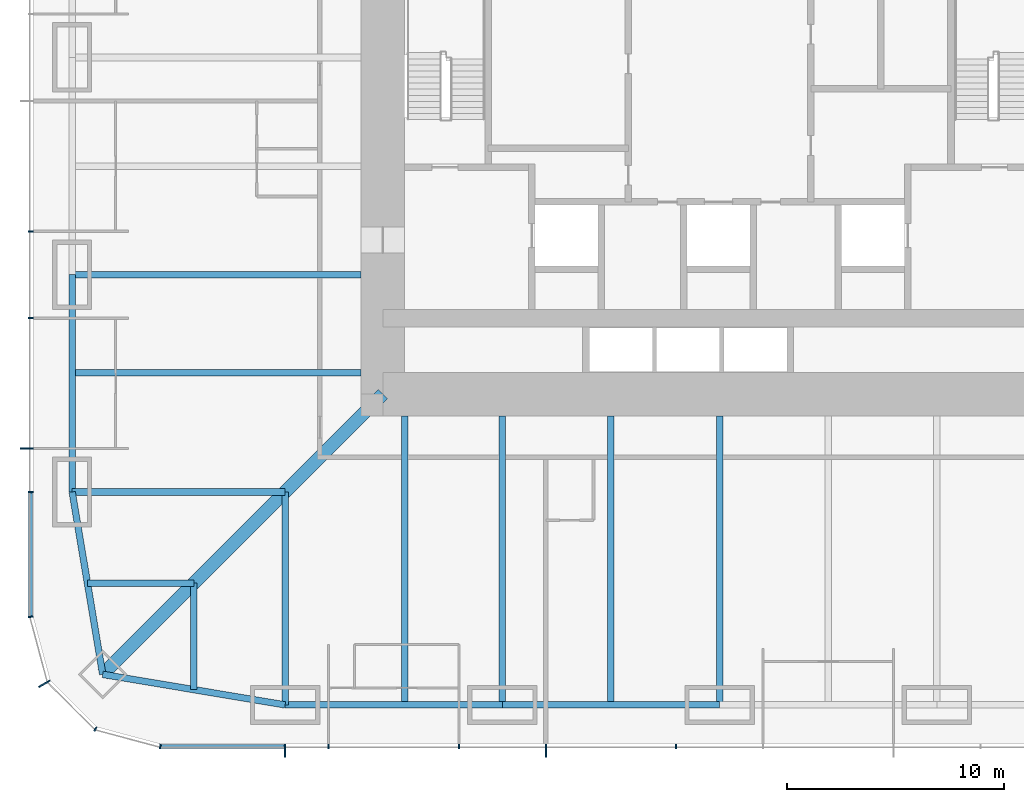
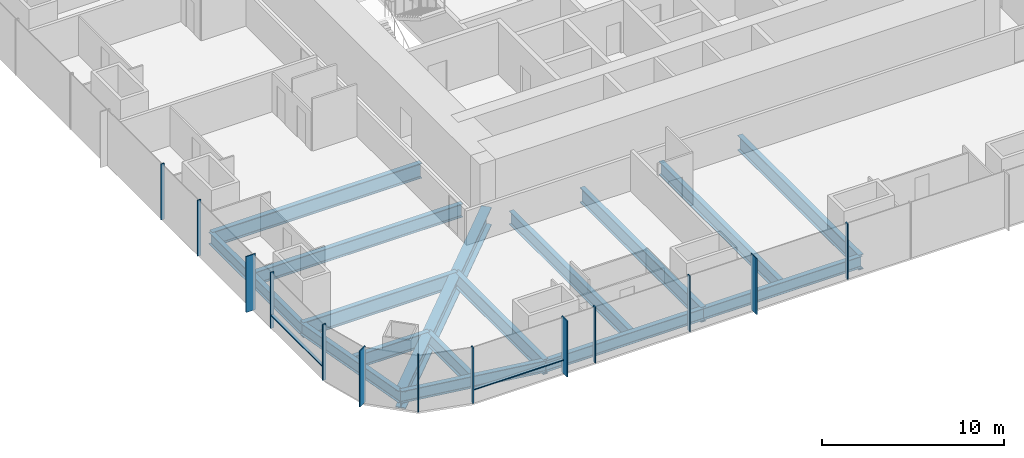
# One storey, part 2 of 17: 16 beams, 15 members, 3 elements without a shape of their own.
"""IFC4 building model written with IfcOpenShell, lengths in metres."""

from ifc_helpers import new_model, si_unit, direction, frame, origin, origin_2d, place, context, subcontext, project, spatial, rectangle, i_section, extrude, material, material_profile, profile_set, type_object, element, aggregate, save


model = new_model("IFC4")

# Units and contexts
model_context = context("Model", 3, precision=1e-05, world=origin(), true_north=direction((0.0, 1.0)))
body_context = subcontext(model_context, "Body", "Model", "MODEL_VIEW")
ifc_project = project(units=[si_unit("LENGTHUNIT", "METRE"), si_unit("AREAUNIT", "SQUARE_METRE"), si_unit("VOLUMEUNIT", "CUBIC_METRE"), si_unit("PLANEANGLEUNIT", "RADIAN"), si_unit("MASSUNIT", "GRAM", prefix="KILO")], contexts=[model_context])

# Site, building, storey
site_placement = place(None, origin())
site = spatial("IfcSite", under=ifc_project, at=site_placement, CompositionType="ELEMENT")
building_placement = place(site_placement, origin())
building = spatial("IfcBuilding", under=site, at=building_placement, Name="Khuree Lantern Residences", CompositionType="ELEMENT")
storey_placement = place(building_placement, frame((0.0, 0.0, 47.25)))
storey = spatial("IfcBuildingStorey", under=building, at=storey_placement, Name="L11", CompositionType="ELEMENT", Elevation=47.25)

# Beams
ifc_material_1 = material(Name="Steel S355", Category="steel")
ifc_material_profile_1 = material_profile(ifc_material_1, i_section(OverallWidth=0.300048828125, OverallDepth=0.889892578125, WebThickness=0.01611328125, FlangeThickness=0.030029296875, FilletRadius=0.030029296875, at=origin_2d()), Name="HE 900 A")
ifc_profile_set_1 = profile_set([ifc_material_profile_1], Name="Steel S355")
beam_type_1 = type_object("IfcBeamType", Name="B-12 SECONDARY BEAM HE 900 A", PredefinedType="BEAM", material=ifc_profile_set_1)
for number, where, z_axis, x_axis, name in (
    (1, (-5.0, -29.800048828125, -0.695068359375), (0.0, 1.0, 0.0), (-1.0, 0.0, 0.0), "Secondary beam S4"),
    (2, (-14.5, -29.800048828125, -0.695068359375), (0.0, 1.0, 0.0), (-1.0, 0.0, 0.0), "Secondary beam S5"),
):
    element("IfcBeam", number, at=place(storey_placement, frame(where, z_axis=z_axis, x_axis=x_axis)), inside=storey, type_object=beam_type_1, Name=name, PredefinedType="BEAM", context=body_context, shape_type="SweptSolid", body=[
        extrude(i_section(OverallWidth=0.300048828125, OverallDepth=0.889892578125, WebThickness=0.01611328125, FlangeThickness=0.030029296875, FilletRadius=0.030029296875, at=origin_2d()), origin(), (0.0, 0.0, 1.0), 13.300048828125),
    ])
for number, where, z_axis, x_axis, name in (
    (3, (-24.197021484375, -29.09716796875, -0.695068359375), (0.0, 1.0, 0.0), (-1.0, 0.0, 0.0), "Secondary beam S6"),
    (4, (-29.09716796875, -24.197021484375, -0.695068359375), (1.0, 0.0, 0.0), (0.0, 1.0, 0.0), "Secondary beam W1"),
):
    element("IfcBeam", number, at=place(storey_placement, frame(where, z_axis=z_axis, x_axis=x_axis)), inside=storey, type_object=beam_type_1, Name=name, PredefinedType="BEAM", context=body_context, shape_type="SweptSolid", body=[
        extrude(i_section(OverallWidth=0.300048828125, OverallDepth=0.889892578125, WebThickness=0.01611328125, FlangeThickness=0.030029296875, FilletRadius=0.030029296875, at=origin_2d()), origin(), (0.0, 0.0, 1.0), 4.900146484375),
    ])
beam_1_placement = place(storey_placement, frame((-29.800048828125, -14.5, -0.695068359375), z_axis=(1.0, 0.0, 0.0), x_axis=(0.0, 1.0, 0.0)))
element("IfcBeam", 5, at=beam_1_placement, inside=storey, type_object=beam_type_1, Name="Secondary beam W2", PredefinedType="BEAM", context=body_context, shape_type="SweptSolid", body=[
    extrude(i_section(OverallWidth=0.300048828125, OverallDepth=0.889892578125, WebThickness=0.01611328125, FlangeThickness=0.030029296875, FilletRadius=0.030029296875, at=origin_2d()), origin(), (0.0, 0.0, 1.0), 13.300048828125),
])
ifc_material_profile_2 = material_profile(ifc_material_1, i_section(OverallWidth=0.300048828125, OverallDepth=0.7900390625, WebThickness=0.014892578125, FlangeThickness=0.028076171875, FilletRadius=0.030029296875, at=origin_2d()), Name="HE 800 A")
ifc_profile_set_2 = profile_set([ifc_material_profile_2], Name="Steel S355")
beam_type_2 = type_object("IfcBeamType", Name="E-12 SPANDREL BEAM HE 800 A", PredefinedType="SPANDREL", material=ifc_profile_set_2)
for number, where, z_axis, x_axis, name in (
    (6, (0.0, -29.800048828125, -0.64501953125), (-1.0, 0.0, 0.0), (0.0, -1.0, 0.0), "Spandrel beam S4"),
    (7, (-10.0, -29.800048828125, -0.64501953125), (-1.0, 0.0, 0.0), (0.0, -1.0, 0.0), "Spandrel beam S5"),
):
    element("IfcBeam", number, at=place(storey_placement, frame(where, z_axis=z_axis, x_axis=x_axis)), inside=storey, type_object=beam_type_2, Name=name, PredefinedType="SPANDREL", context=body_context, shape_type="SweptSolid", body=[
        extrude(i_section(OverallWidth=0.300048828125, OverallDepth=0.7900390625, WebThickness=0.014892578125, FlangeThickness=0.028076171875, FilletRadius=0.030029296875, at=origin_2d()), origin(), (0.0, 0.0, 1.0), 10.0),
    ])
for number, where, z_axis, x_axis, name in (
    (8, (-20.0, -29.800048828125, -0.64501953125), (-0.986260251158, 0.165199022349, 0.0), (-0.165199022349, -0.986260251158, 0.0), "Spandrel beam S6"),
    (9, (-28.39404296875, -28.39404296875, -0.64501953125), (-0.165199022349, 0.986260251158, 0.0), (-0.986260251158, -0.165199022349, 0.0), "Spandrel beam W1"),
):
    element("IfcBeam", number, at=place(storey_placement, frame(where, z_axis=z_axis, x_axis=x_axis)), inside=storey, type_object=beam_type_2, Name=name, PredefinedType="SPANDREL", context=body_context, shape_type="SweptSolid", body=[
        extrude(i_section(OverallWidth=0.300048828125, OverallDepth=0.7900390625, WebThickness=0.014892578125, FlangeThickness=0.028076171875, FilletRadius=0.030029296875, at=origin_2d()), origin(), (0.0, 0.0, 1.0), 8.510986328125),
    ])
beam_2_placement = place(storey_placement, frame((-29.800048828125, -20.0, -0.64501953125), z_axis=(0.0, 1.0, 0.0), x_axis=(-1.0, 0.0, 0.0)))
element("IfcBeam", 10, at=beam_2_placement, inside=storey, type_object=beam_type_2, Name="Spandrel beam W2", PredefinedType="SPANDREL", context=body_context, shape_type="SweptSolid", body=[
    extrude(i_section(OverallWidth=0.300048828125, OverallDepth=0.7900390625, WebThickness=0.014892578125, FlangeThickness=0.028076171875, FilletRadius=0.030029296875, at=origin_2d()), origin(), (0.0, 0.0, 1.0), 10.0),
])

# Curtain wall, member
ifc_material_2 = material(Name="Bronze anodised aluminium", Category="aluminium")
curtain_wall_type_1 = type_object("IfcCurtainWallType", Name="CW-T1 TOWER FACE CURTAIN WALL", PredefinedType="USERDEFINED", material=ifc_material_2)
curtain_wall_1_placement = place(storey_placement, origin())
curtain_wall_1 = element("IfcCurtainWall", 11, at=curtain_wall_1_placement, inside=storey, type_object=curtain_wall_type_1, Name="L11 WEST FACE CURTAIN WALL", ObjectType="Stick-built curtain wall", PredefinedType="USERDEFINED")
ifc_material_profile_3 = material_profile(ifc_material_2, rectangle(XDim=0.06494140625, YDim=0.60009765625, at=origin_2d()), Name="F1 65X600")
ifc_profile_set_3 = profile_set([ifc_material_profile_3], Name="Bronze anodised aluminium")
member_type_1 = type_object("IfcMemberType", Name="F1 BRONZE FIN MULLION TOWER 65X600", PredefinedType="MULLION", material=ifc_profile_set_3)
member_1_placement = place(storey_placement, frame((-31.89990234375, -18.0, 0.0), z_axis=(0.0, 0.0, 1.0), x_axis=(0.0, -1.0, 0.0)))
member_1 = element("IfcMember", 12, at=member_1_placement, type_object=member_type_1, Name="L11 WEST FACE FIN MULLION 41", PredefinedType="MULLION", context=body_context, shape_type="SweptSolid", body=[
    extrude(rectangle(XDim=0.06494140625, YDim=0.60009765625, at=origin_2d()), origin(), (0.0, 0.0, 1.0), 3.75),
])

curtain_wall_type_2 = type_object("IfcCurtainWallType", Name="CW-T2 TOWER CORNER CURTAIN WALL", PredefinedType="USERDEFINED", material=ifc_material_2)
curtain_wall_2_placement = place(storey_placement, origin())
curtain_wall_2 = element("IfcCurtainWall", 13, at=curtain_wall_2_placement, inside=storey, type_object=curtain_wall_type_2, Name="L11 SOUTH-WEST CORNER CURTAIN WALL", ObjectType="Faceted corner curtain wall", PredefinedType="USERDEFINED")
member_2_placement = place(storey_placement, frame((-31.076171875, -28.824951171875, 0.0), z_axis=(0.0, 0.0, 1.0), x_axis=(0.500000056923, -0.86602537092, 0.0)))
member_2 = element("IfcMember", 14, at=member_2_placement, type_object=member_type_1, Name="L11 SOUTH-WEST CORNER FIN MULLION 44", PredefinedType="MULLION", context=body_context, shape_type="SweptSolid", body=[
    extrude(rectangle(XDim=0.06494140625, YDim=0.60009765625, at=origin_2d()), origin(), (0.0, 0.0, 1.0), 3.75),
])

# Curtain wall, members
curtain_wall_3_placement = place(storey_placement, origin())
curtain_wall_3 = element("IfcCurtainWall", 15, at=curtain_wall_3_placement, inside=storey, type_object=curtain_wall_type_1, Name="L11 SOUTH FACE CURTAIN WALL", ObjectType="Stick-built curtain wall", PredefinedType="USERDEFINED")
member_3_placement = place(storey_placement, frame((-20.0, -31.89990234375, 0.0), z_axis=(0.0, 0.0, 1.0), x_axis=(1.0, 0.0, 0.0)))
member_3 = element("IfcMember", 16, at=member_3_placement, type_object=member_type_1, Name="L11 SOUTH FACE FIN MULLION 47", PredefinedType="MULLION", context=body_context, shape_type="SweptSolid", body=[
    extrude(rectangle(XDim=0.06494140625, YDim=0.60009765625, at=origin_2d()), origin(), (0.0, 0.0, 1.0), 3.75),
])
member_4_placement = place(storey_placement, frame((-8.0, -31.89990234375, 0.0), z_axis=(0.0, 0.0, 1.0), x_axis=(1.0, 0.0, 0.0)))
member_4 = element("IfcMember", 17, at=member_4_placement, type_object=member_type_1, Name="L11 SOUTH FACE FIN MULLION 50", PredefinedType="MULLION", context=body_context, shape_type="SweptSolid", body=[
    extrude(rectangle(XDim=0.06494140625, YDim=0.60009765625, at=origin_2d()), origin(), (0.0, 0.0, 1.0), 3.75),
])

# Beams
ifc_material_profile_4 = material_profile(ifc_material_1, i_section(OverallWidth=0.302001953125, OverallDepth=1.008056640625, WebThickness=0.02099609375, FlangeThickness=0.0400390625, FilletRadius=0.030029296875, at=origin_2d()), Name="HE 1000 M")
ifc_profile_set_4 = profile_set([ifc_material_profile_4], Name="Steel S355")
beam_type_3 = type_object("IfcBeamType", Name="G-12 GIRDER HE 1000 M", PredefinedType="BEAM", material=ifc_profile_set_4)
for number, where, z_axis, x_axis, name in (
    (18, (0.0, -29.800048828125, -0.75390625), (0.0, 1.0, 0.0), (-1.0, 0.0, 0.0), "Girder S3"),
    (19, (-10.0, -29.800048828125, -0.75390625), (0.0, 1.0, 0.0), (-1.0, 0.0, 0.0), "Girder S4"),
):
    element("IfcBeam", number, at=place(storey_placement, frame(where, z_axis=z_axis, x_axis=x_axis)), inside=storey, type_object=beam_type_3, Name=name, PredefinedType="BEAM", context=body_context, shape_type="SweptSolid", body=[
        extrude(i_section(OverallWidth=0.302001953125, OverallDepth=1.008056640625, WebThickness=0.02099609375, FlangeThickness=0.0400390625, FilletRadius=0.030029296875, at=origin_2d()), origin(), (0.0, 0.0, 1.0), 13.300048828125),
    ])
for number, where, z_axis, x_axis, name in (
    (20, (-20.0, -29.800048828125, -0.75390625), (0.0, 1.0, 0.0), (-1.0, 0.0, 0.0), "Girder S5"),
    (21, (-29.800048828125, -20.0, -0.75390625), (1.0, 0.0, 0.0), (0.0, 1.0, 0.0), "Girder W1"),
):
    element("IfcBeam", number, at=place(storey_placement, frame(where, z_axis=z_axis, x_axis=x_axis)), inside=storey, type_object=beam_type_3, Name=name, PredefinedType="BEAM", context=body_context, shape_type="SweptSolid", body=[
        extrude(i_section(OverallWidth=0.302001953125, OverallDepth=1.008056640625, WebThickness=0.02099609375, FlangeThickness=0.0400390625, FilletRadius=0.030029296875, at=origin_2d()), origin(), (0.0, 0.0, 1.0), 9.800048828125),
    ])
beam_3_placement = place(storey_placement, frame((-29.800048828125, -10.0, -0.75390625), z_axis=(1.0, 0.0, 0.0), x_axis=(0.0, 1.0, 0.0)))
element("IfcBeam", 22, at=beam_3_placement, inside=storey, type_object=beam_type_3, Name="Girder W2", PredefinedType="BEAM", context=body_context, shape_type="SweptSolid", body=[
    extrude(i_section(OverallWidth=0.302001953125, OverallDepth=1.008056640625, WebThickness=0.02099609375, FlangeThickness=0.0400390625, FilletRadius=0.030029296875, at=origin_2d()), origin(), (0.0, 0.0, 1.0), 13.300048828125),
])
ifc_material_profile_5 = material_profile(ifc_material_1, i_section(OverallWidth=0.60009765625, OverallDepth=1.199951171875, WebThickness=0.030029296875, FlangeThickness=0.06005859375, at=origin_2d()), Name="WELDED I 1200X600X30X60")
ifc_profile_set_5 = profile_set([ifc_material_profile_5], Name="Steel S355")
beam_type_4 = type_object("IfcBeamType", Name="GD-12 CORNER GIRDER WELDED I 1200X600X30X60", PredefinedType="BEAM", material=ifc_profile_set_5)
beam_4_placement = place(storey_placement, frame((-28.39404296875, -28.39404296875, -0.85009765625), z_axis=(0.707106781187, 0.707106781187, 0.0), x_axis=(-0.707106781187, 0.707106781187, 0.0)))
element("IfcBeam", 23, at=beam_4_placement, inside=storey, type_object=beam_type_4, Name="Corner girder SW", PredefinedType="BEAM", context=body_context, shape_type="SweptSolid", body=[
    extrude(i_section(OverallWidth=0.60009765625, OverallDepth=1.199951171875, WebThickness=0.030029296875, FlangeThickness=0.06005859375, at=origin_2d()), origin(), (0.0, 0.0, 1.0), 18.23486328125),
])

# Member
ifc_material_profile_6 = material_profile(ifc_material_2, rectangle(XDim=0.06494140625, YDim=0.219970703125, at=origin_2d()), Name="M1 65X220")
ifc_profile_set_6 = profile_set([ifc_material_profile_6], Name="Bronze anodised aluminium")
member_type_2 = type_object("IfcMemberType", Name="M1 BRONZE MULLION TOWER 65X220", PredefinedType="MULLION", material=ifc_profile_set_6)
member_5_placement = place(storey_placement, frame((-31.7099609375, -8.0, 0.0), z_axis=(0.0, 0.0, 1.0), x_axis=(0.0, -1.0, 0.0)))
member_5 = element("IfcMember", 24, at=member_5_placement, type_object=member_type_2, Name="L11 WEST FACE MULLION 39", PredefinedType="MULLION", context=body_context, shape_type="SweptSolid", body=[
    extrude(rectangle(XDim=0.06494140625, YDim=0.219970703125, at=origin_2d()), origin(), (0.0, 0.0, 1.0), 3.75),
])

member_6_placement = place(storey_placement, frame((-31.7099609375, -12.0, 0.0), z_axis=(0.0, 0.0, 1.0), x_axis=(0.0, -1.0, 0.0)))
member_6 = element("IfcMember", 25, at=member_6_placement, type_object=member_type_2, Name="L11 WEST FACE MULLION 40", PredefinedType="MULLION", context=body_context, shape_type="SweptSolid", body=[
    extrude(rectangle(XDim=0.06494140625, YDim=0.219970703125, at=origin_2d()), origin(), (0.0, 0.0, 1.0), 3.75),
])

member_7_placement = place(storey_placement, frame((-31.7099609375, -20.0, 0.0), z_axis=(0.0, 0.0, 1.0), x_axis=(0.0, -1.0, 0.0)))
member_7 = element("IfcMember", 26, at=member_7_placement, type_object=member_type_2, Name="L11 WEST FACE MULLION 42", PredefinedType="MULLION", context=body_context, shape_type="SweptSolid", body=[
    extrude(rectangle(XDim=0.06494140625, YDim=0.219970703125, at=origin_2d()), origin(), (0.0, 0.0, 1.0), 3.75),
])

member_8_placement = place(storey_placement, frame((-31.711669921875, -25.744873046875, 0.0), z_axis=(0.0, 0.0, 1.0), x_axis=(0.130526257387, -0.991444852794, 0.0)))
member_8 = element("IfcMember", 27, at=member_8_placement, type_object=member_type_2, Name="L11 SOUTH-WEST CORNER MULLION 43", PredefinedType="MULLION", context=body_context, shape_type="SweptSolid", body=[
    extrude(rectangle(XDim=0.06494140625, YDim=0.219970703125, at=origin_2d()), origin(), (0.0, 0.0, 1.0), 3.75),
])

member_9_placement = place(storey_placement, frame((-28.72998046875, -30.91162109375, 0.0), z_axis=(0.0, 0.0, 1.0), x_axis=(0.86602537092, -0.500000056923, 0.0)))
member_9 = element("IfcMember", 28, at=member_9_placement, type_object=member_type_2, Name="L11 SOUTH-WEST CORNER MULLION 45", PredefinedType="MULLION", context=body_context, shape_type="SweptSolid", body=[
    extrude(rectangle(XDim=0.06494140625, YDim=0.219970703125, at=origin_2d()), origin(), (0.0, 0.0, 1.0), 3.75),
])

aggregate(curtain_wall_2, [member_8, member_2, member_9])

member_10_placement = place(storey_placement, frame((-25.744873046875, -31.711669921875, 0.0), z_axis=(0.0, 0.0, 1.0), x_axis=(0.991444852794, -0.130526257387, 0.0)))
member_10 = element("IfcMember", 29, at=member_10_placement, type_object=member_type_2, Name="L11 SOUTH FACE MULLION 46", PredefinedType="MULLION", context=body_context, shape_type="SweptSolid", body=[
    extrude(rectangle(XDim=0.06494140625, YDim=0.219970703125, at=origin_2d()), origin(), (0.0, 0.0, 1.0), 3.75),
])

member_11_placement = place(storey_placement, frame((-18.0, -31.7099609375, 0.0), z_axis=(0.0, 0.0, 1.0), x_axis=(1.0, 0.0, 0.0)))
member_11 = element("IfcMember", 30, at=member_11_placement, type_object=member_type_2, Name="L11 SOUTH FACE MULLION 48", PredefinedType="MULLION", context=body_context, shape_type="SweptSolid", body=[
    extrude(rectangle(XDim=0.06494140625, YDim=0.219970703125, at=origin_2d()), origin(), (0.0, 0.0, 1.0), 3.75),
])

member_12_placement = place(storey_placement, frame((-12.0, -31.7099609375, 0.0), z_axis=(0.0, 0.0, 1.0), x_axis=(1.0, 0.0, 0.0)))
member_12 = element("IfcMember", 31, at=member_12_placement, type_object=member_type_2, Name="L11 SOUTH FACE MULLION 49", PredefinedType="MULLION", context=body_context, shape_type="SweptSolid", body=[
    extrude(rectangle(XDim=0.06494140625, YDim=0.219970703125, at=origin_2d()), origin(), (0.0, 0.0, 1.0), 3.75),
])

member_13_placement = place(storey_placement, frame((-2.0, -31.7099609375, 0.0), z_axis=(0.0, 0.0, 1.0), x_axis=(1.0, 0.0, 0.0)))
member_13 = element("IfcMember", 32, at=member_13_placement, type_object=member_type_2, Name="L11 SOUTH FACE MULLION 51", PredefinedType="MULLION", context=body_context, shape_type="SweptSolid", body=[
    extrude(rectangle(XDim=0.06494140625, YDim=0.219970703125, at=origin_2d()), origin(), (0.0, 0.0, 1.0), 3.75),
])

ifc_material_profile_7 = material_profile(ifc_material_2, rectangle(XDim=0.179931640625, YDim=0.06494140625, at=origin_2d()), Name="T1 180X65")
ifc_profile_set_7 = profile_set([ifc_material_profile_7], Name="Bronze anodised aluminium")
member_type_3 = type_object("IfcMemberType", Name="TRANSOM T1 TOWER 180X65", PredefinedType="USERDEFINED", material=ifc_profile_set_7)
member_14_placement = place(storey_placement, frame((-31.719970703125, -20.032470703125, 0.89990234375), z_axis=(0.0, -1.0, 0.0), x_axis=(1.0, 0.0, 0.0)))
member_14 = element("IfcMember", 33, at=member_14_placement, type_object=member_type_3, Name="L11 WEST FACE TRANSOM 42.1", ObjectType="Transom", PredefinedType="USERDEFINED", context=body_context, shape_type="SweptSolid", body=[
    extrude(rectangle(XDim=0.179931640625, YDim=0.06494140625, at=origin_2d()), origin(), (0.0, 0.0, 1.0), 5.6689453125),
])

aggregate(curtain_wall_1, [member_5, member_6, member_1, member_7, member_14])

member_15_placement = place(storey_placement, frame((-25.701416015625, -31.719970703125, 0.89990234375), z_axis=(1.0, 0.0, 0.0), x_axis=(0.0, 1.0, 0.0)))
member_15 = element("IfcMember", 34, at=member_15_placement, type_object=member_type_3, Name="L11 SOUTH FACE TRANSOM 46.1", ObjectType="Transom", PredefinedType="USERDEFINED", context=body_context, shape_type="SweptSolid", body=[
    extrude(rectangle(XDim=0.179931640625, YDim=0.06494140625, at=origin_2d()), origin(), (0.0, 0.0, 1.0), 5.6689453125),
])

aggregate(curtain_wall_3, [member_10, member_3, member_11, member_12, member_4, member_13, member_15])

save(model, "model.ifc")
